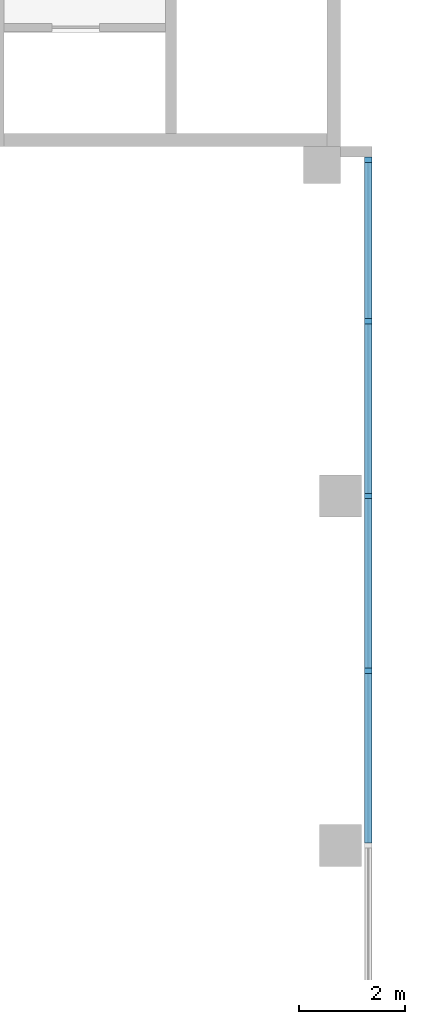
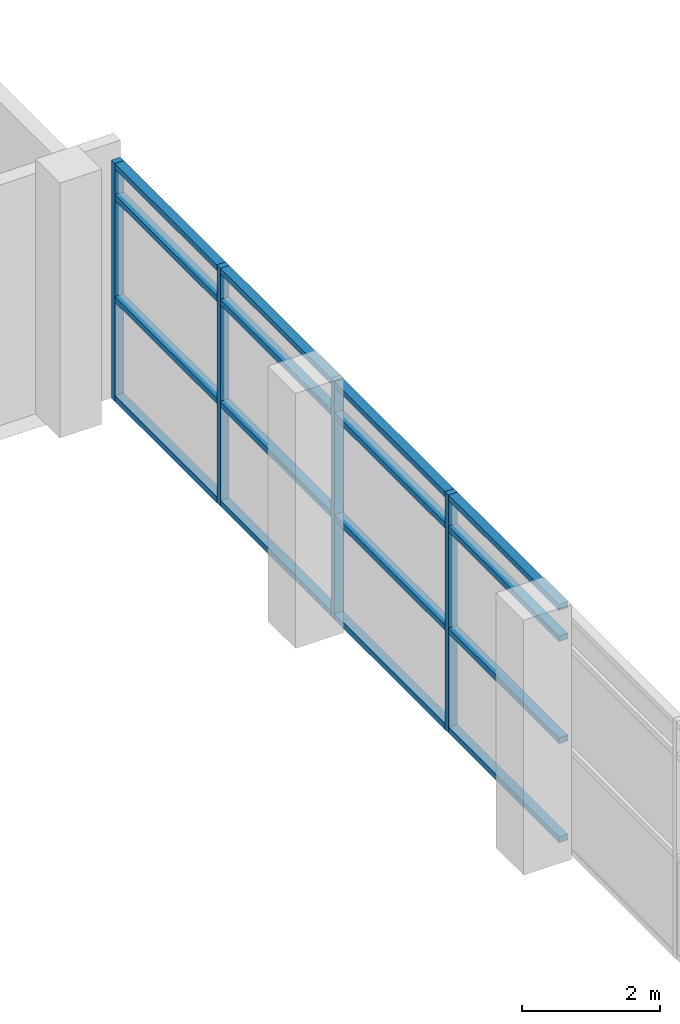
# One storey, part 14 of 102: 20 members, 1 element without a shape of its own.
"""IFC4 building model written with IfcOpenShell, lengths in metres."""

import ifcopenshell
import ifcopenshell.guid

model = None  # the IFC model being written
_history = None  # IfcOwnerHistory: only IFC2X3 demands one
_inside = {}  # id of a spatial element -> (the spatial element, [elements in it])
_under = {}  # id of a project, library or spatial element -> (it, [spatial elements below it])
_declared = {}  # id of a project -> (the project, [libraries it declares])
_typed = {}  # id of a type object -> (the type object, [elements of that type])
_made_of = {}  # id of a material, layer set ... -> (it, [elements and type objects made of it])


def new_model(schema):
    """Start an empty IFC model of exactly this schema.

    Asked for "IFC4X3", IfcOpenShell would pick the latest addendum, in which some entities
    have other attributes; the version numbers below select the first issue.
    IFC2X3 requires an IfcOwnerHistory on every rooted entity: one is made here for all.
    """
    global model, _history
    if schema == "IFC4X3":
        model = ifcopenshell.file(schema_version=(4, 3, 0, 0))
    else:
        model = ifcopenshell.file(schema=schema)
    _inside.clear()
    _under.clear()
    _declared.clear()
    _typed.clear()
    _made_of.clear()
    _history = None
    if model.schema == "IFC2X3":
        org = make("IfcOrganization", Name="unknown")
        user = make(
            "IfcPersonAndOrganization",
            ThePerson=make("IfcPerson", FamilyName="unknown"),
            TheOrganization=org,
        )
        app = make(
            "IfcApplication",
            ApplicationDeveloper=org,
            Version="unknown",
            ApplicationFullName="unknown",
            ApplicationIdentifier="unknown",
        )
        _history = make(
            "IfcOwnerHistory",
            OwningUser=user,
            OwningApplication=app,
            ChangeAction="ADDED",
            CreationDate=0,
        )
    return model


def make(cls, **values):
    """One entity of the class cls with the attributes given. An attribute that is None is left unset."""
    return model.create_entity(
        cls, **{name: value for name, value in values.items() if value is not None}
    )


def rooted(cls, **values):
    """An entity with a GlobalId (a new one), such as an element, a storey or a relation."""
    return make(cls, GlobalId=ifcopenshell.guid.new(), OwnerHistory=_history, **values)


def si_unit(unit_type, name, prefix=None):
    """IfcSIUnit, for example si_unit("LENGTHUNIT", "METRE", prefix="MILLI")."""
    return make("IfcSIUnit", UnitType=unit_type, Prefix=prefix, Name=name)


def assignment(units):
    """IfcUnitAssignment: the units of a project."""
    return None if units is None else make("IfcUnitAssignment", Units=units)


def point(xyz):
    """IfcCartesianPoint."""
    return None if xyz is None else make("IfcCartesianPoint", Coordinates=xyz)


def direction(xyz):
    """IfcDirection."""
    return None if xyz is None else make("IfcDirection", DirectionRatios=xyz)


def frame(location, z_axis=None, x_axis=None):
    """IfcAxis2Placement3D, a coordinate frame: its origin and axes. An axis left out is left unset."""
    return make(
        "IfcAxis2Placement3D",
        Location=point(location),
        Axis=direction(z_axis),
        RefDirection=direction(x_axis),
    )


def frame_2d(location, x_axis=None):
    """IfcAxis2Placement2D, a coordinate frame in the plane: its origin and x axis."""
    return make(
        "IfcAxis2Placement2D", Location=point(location), RefDirection=direction(x_axis)
    )


def origin():
    """The frame at (0, 0, 0) with its axes left unset."""
    return frame((0.0, 0.0, 0.0))


def origin_2d():
    """The frame at (0, 0) in the plane with its x axis left unset."""
    return frame_2d((0.0, 0.0))


def place(relative_to, where):
    """IfcLocalPlacement: puts the frame where relative to a parent placement (None: the world)."""
    return make(
        "IfcLocalPlacement", PlacementRelTo=relative_to, RelativePlacement=where
    )


def context(
    kind, dimensions, precision=None, world=None, true_north=None, identifier=None
):
    """IfcGeometricRepresentationContext, for example the 3D "Model" context."""
    return make(
        "IfcGeometricRepresentationContext",
        ContextIdentifier=identifier,
        ContextType=kind,
        CoordinateSpaceDimension=dimensions,
        Precision=precision,
        WorldCoordinateSystem=world,
        TrueNorth=true_north,
    )


def subcontext(parent, identifier, kind, view, scale=None):
    """IfcGeometricRepresentationSubContext, for example "Body" below "Model"."""
    return make(
        "IfcGeometricRepresentationSubContext",
        ContextIdentifier=identifier,
        ContextType=kind,
        ParentContext=parent,
        TargetScale=scale,
        TargetView=view,
    )


def project(units=None, contexts=None):
    """IfcProject with its units and contexts."""
    return rooted(
        "IfcProject",
        Name="project",
        RepresentationContexts=contexts,
        UnitsInContext=assignment(units),
    )


def spatial(cls, under=None, at=None, **own):
    """A site, building, storey or space (cls), placed at a placement, below another one or the project."""
    s = rooted(cls, ObjectPlacement=at, **own)
    if under is not None:
        _under.setdefault(under.id(), (under, []))[1].append(s)
    return s


def profile(cls, at=None, kind="AREA", **sizes):
    """A parametric profile (cls). Its sizes go by their IFC names, for example OverallWidth=200.0."""
    return make(cls, ProfileType=kind, Position=at, **sizes)


def rectangle(**sizes):
    """IfcRectangleProfileDef."""
    return profile("IfcRectangleProfileDef", **sizes)


def extrude(swept, where, along, depth):
    """IfcExtrudedAreaSolid: the profile swept, set in the frame where, extruded along a direction by depth."""
    return make(
        "IfcExtrudedAreaSolid",
        SweptArea=swept,
        Position=where,
        ExtrudedDirection=direction(along),
        Depth=depth,
    )


def shape(context_of_items, identifier, shape_type, items):
    """IfcShapeRepresentation: the items that make up one representation, for example the "Body"."""
    return make(
        "IfcShapeRepresentation",
        ContextOfItems=context_of_items,
        RepresentationIdentifier=identifier,
        RepresentationType=shape_type,
        Items=items,
    )


def material(Name=None, Category=None):
    """IfcMaterial."""
    return make("IfcMaterial", Name=Name, Category=Category)


def material_profile(
    of_material, cross_section, Name=None, Category=None, Priority=None
):
    """IfcMaterialProfile: a cross section and its material."""
    return make(
        "IfcMaterialProfile",
        Name=Name,
        Material=of_material,
        Profile=cross_section,
        Priority=Priority,
        Category=Category,
    )


def profile_set(profiles, Name=None, composite=None):
    """IfcMaterialProfileSet."""
    return make(
        "IfcMaterialProfileSet",
        Name=Name,
        MaterialProfiles=profiles,
        CompositeProfile=composite,
    )


def made_of(thing, what):
    """Note that an element or type object is made of a material, layer set ...; save() writes the relation."""
    if what is not None:
        _made_of.setdefault(what.id(), (what, []))[1].append(thing)
    return thing


def type_object(cls, material=None, **own):
    """A type object (cls), such as IfcWallType, which elements share."""
    return made_of(rooted(cls, **own), material)


def element(
    cls,
    number,
    at=None,
    inside=None,
    cuts=None,
    type_object=None,
    material=None,
    context=None,
    identifier="Body",
    shape_type=None,
    held_by="IfcProductDefinitionShape",
    body=None,
    shapes=None,
    **own,
):
    """One element of the class cls, such as IfcWall. Its Tag is "e" and its number.

    at: its placement. inside: the storey or other place that contains it. cuts: it is an
    opening in that element (IfcRelVoidsElement). A single representation is given by context,
    identifier, shape_type and body (its items); several are given by shapes. held_by: the class
    of the entity that holds the representations. save() writes the other relations.
    """
    e = rooted(cls, Tag="e%d" % number, ObjectPlacement=at, **own)
    if body is not None:
        shapes = [shape(context, identifier, shape_type, body)]
    if shapes is not None:
        e.Representation = make(held_by, Representations=shapes)
    if inside is not None:
        _inside.setdefault(inside.id(), (inside, []))[1].append(e)
    if cuts is not None:
        rooted(
            "IfcRelVoidsElement", RelatingBuildingElement=cuts, RelatedOpeningElement=e
        )
    if type_object is not None:
        _typed.setdefault(type_object.id(), (type_object, []))[1].append(e)
    return made_of(e, material)


def aggregate(whole, parts):
    """IfcRelAggregates: a whole, such as a stair, and the parts it consists of."""
    return rooted("IfcRelAggregates", RelatingObject=whole, RelatedObjects=parts)


def save(model, path):
    """Write the relations noted so far, then the file.

    IfcRelAggregates (storeys below a building ...), IfcRelContainedInSpatialStructure (elements
    in a storey), IfcRelDefinesByType, IfcRelAssociatesMaterial and IfcRelDeclares: one each for
    every whole, place, type object, material and project.
    """
    for whole, parts in _under.values():
        aggregate(whole, parts)
    for where, things in _inside.values():
        rooted(
            "IfcRelContainedInSpatialStructure",
            RelatedElements=things,
            RelatingStructure=where,
        )
    for kind, things in _typed.values():
        rooted("IfcRelDefinesByType", RelatedObjects=things, RelatingType=kind)
    for what, things in _made_of.values():
        rooted("IfcRelAssociatesMaterial", RelatedObjects=things, RelatingMaterial=what)
    for by, libraries in _declared.values():
        rooted("IfcRelDeclares", RelatingContext=by, RelatedDefinitions=libraries)
    model.write(path)


model = new_model("IFC4")

# Units and contexts
model_context = context("Model", 3, precision=1e-05, world=origin(), true_north=direction((0.0, 1.0)))
body_context = subcontext(model_context, "Body", "Model", "MODEL_VIEW")
ifc_project = project(units=[si_unit("LENGTHUNIT", "METRE"), si_unit("AREAUNIT", "SQUARE_METRE"), si_unit("VOLUMEUNIT", "CUBIC_METRE"), si_unit("PLANEANGLEUNIT", "RADIAN"), si_unit("MASSUNIT", "GRAM", prefix="KILO")], contexts=[model_context])

# Site, building, storey
site_placement = place(None, origin())
site = spatial("IfcSite", under=ifc_project, at=site_placement, CompositionType="ELEMENT")
building_placement = place(site_placement, origin())
building = spatial("IfcBuilding", under=site, at=building_placement, Name="Lantern Court Research Institute", CompositionType="ELEMENT")
storey_placement = place(building_placement, frame((0.0, 0.0, 9.89990234375)))
storey = spatial("IfcBuildingStorey", under=building, at=storey_placement, Name="L02", CompositionType="ELEMENT", Elevation=9.89990234375)

# Curtain wall, members
ifc_material_1 = material(Name="Aluminium alloy 6063-T6", Category="aluminium")
curtain_wall_type = type_object("IfcCurtainWallType", Name="Curtain wall 26200 x 4200 x 150 aluminium frame", PredefinedType="NOTDEFINED", material=ifc_material_1)
curtain_wall_placement = place(storey_placement, origin())
curtain_wall = element("IfcCurtainWall", 1, at=curtain_wall_placement, inside=storey, type_object=curtain_wall_type, Name="Curtain wall CW034", PredefinedType="NOTDEFINED")
ifc_material_2 = material(Name="Aluminium alloy 6063-T6", Category="aluminium")
ifc_material_profile_1 = material_profile(ifc_material_2, rectangle(XDim=0.14990234375, YDim=0.10009765625, at=origin_2d()), Name="Mullion 150 x 100")
ifc_profile_set_1 = profile_set([ifc_material_profile_1], Name="Aluminium alloy 6063-T6")
member_type_1 = type_object("IfcMemberType", Name="Mullion 150 x 100 aluminium", PredefinedType="MULLION", material=ifc_profile_set_1)
member_1_placement = place(storey_placement, frame((79.72509765625, 39.60009765625, 0.0), z_axis=(0.0, 0.0, 1.0), x_axis=(1.0, 0.0, 0.0)))
member_1 = element("IfcMember", 2, at=member_1_placement, type_object=member_type_1, Name="CW034 mullion 6", PredefinedType="MULLION", context=body_context, shape_type="SweptSolid", body=[
    extrude(rectangle(XDim=0.14990234375, YDim=0.10009765625, at=origin_2d()), origin(), (0.0, 0.0, 1.0), 4.2001953125),
])
member_2_placement = place(storey_placement, frame((79.72509765625, 42.89990234375, 0.0), z_axis=(0.0, 0.0, 1.0), x_axis=(1.0, 0.0, 0.0)))
member_2 = element("IfcMember", 3, at=member_2_placement, type_object=member_type_1, Name="CW034 mullion 7", PredefinedType="MULLION", context=body_context, shape_type="SweptSolid", body=[
    extrude(rectangle(XDim=0.14990234375, YDim=0.10009765625, at=origin_2d()), origin(), (0.0, 0.0, 1.0), 4.2001953125),
])
member_3_placement = place(storey_placement, frame((79.72509765625, 46.199951171875, 0.0), z_axis=(0.0, 0.0, 1.0), x_axis=(1.0, 0.0, 0.0)))
member_3 = element("IfcMember", 4, at=member_3_placement, type_object=member_type_1, Name="CW034 mullion 8", PredefinedType="MULLION", context=body_context, shape_type="SweptSolid", body=[
    extrude(rectangle(XDim=0.14990234375, YDim=0.10009765625, at=origin_2d()), origin(), (0.0, 0.0, 1.0), 4.2001953125),
])
member_4_placement = place(storey_placement, frame((79.72509765625, 49.25, 0.0), z_axis=(0.0, 0.0, 1.0), x_axis=(1.0, 0.0, 0.0)))
member_4 = element("IfcMember", 5, at=member_4_placement, type_object=member_type_1, Name="CW034 mullion 9", PredefinedType="MULLION", context=body_context, shape_type="SweptSolid", body=[
    extrude(rectangle(XDim=0.14990234375, YDim=0.10009765625, at=origin_2d()), origin(), (0.0, 0.0, 1.0), 4.2001953125),
])
ifc_material_3 = material(Name="Aluminium alloy 6063-T6", Category="aluminium")
ifc_material_profile_2 = material_profile(ifc_material_3, rectangle(XDim=0.14990234375, YDim=0.10009765625, at=origin_2d()), Name="Transom 150 x 100")
ifc_profile_set_2 = profile_set([ifc_material_profile_2], Name="Aluminium alloy 6063-T6")
member_type_2 = type_object("IfcMemberType", Name="Transom 150 x 100 aluminium", PredefinedType="USERDEFINED", material=ifc_profile_set_2)
member_5_placement = place(storey_placement, frame((79.72509765625, 39.550048828125, 0.050048828125), z_axis=(0.0, -1.0, 0.0), x_axis=(1.0, 0.0, 0.0)))
member_5 = element("IfcMember", 6, at=member_5_placement, type_object=member_type_2, Name="CW034 transom 5.1", ObjectType="TRANSOM", PredefinedType="USERDEFINED", context=body_context, shape_type="SweptSolid", body=[
    extrude(rectangle(XDim=0.14990234375, YDim=0.10009765625, at=origin_2d()), origin(), (0.0, 0.0, 1.0), 3.199951171875),
])
member_6_placement = place(storey_placement, frame((79.72509765625, 39.550048828125, 1.800048828125), z_axis=(0.0, -1.0, 0.0), x_axis=(1.0, 0.0, 0.0)))
member_6 = element("IfcMember", 7, at=member_6_placement, type_object=member_type_2, Name="CW034 transom 5.2", ObjectType="TRANSOM", PredefinedType="USERDEFINED", context=body_context, shape_type="SweptSolid", body=[
    extrude(rectangle(XDim=0.14990234375, YDim=0.10009765625, at=origin_2d()), origin(), (0.0, 0.0, 1.0), 3.199951171875),
])
member_7_placement = place(storey_placement, frame((79.72509765625, 39.550048828125, 3.60009765625), z_axis=(0.0, -1.0, 0.0), x_axis=(1.0, 0.0, 0.0)))
member_7 = element("IfcMember", 8, at=member_7_placement, type_object=member_type_2, Name="CW034 transom 5.3", ObjectType="TRANSOM", PredefinedType="USERDEFINED", context=body_context, shape_type="SweptSolid", body=[
    extrude(rectangle(XDim=0.14990234375, YDim=0.10009765625, at=origin_2d()), origin(), (0.0, 0.0, 1.0), 3.199951171875),
])
member_8_placement = place(storey_placement, frame((79.72509765625, 39.550048828125, 4.150146484375), z_axis=(0.0, -1.0, 0.0), x_axis=(1.0, 0.0, 0.0)))
member_8 = element("IfcMember", 9, at=member_8_placement, type_object=member_type_2, Name="CW034 transom 5.4", ObjectType="TRANSOM", PredefinedType="USERDEFINED", context=body_context, shape_type="SweptSolid", body=[
    extrude(rectangle(XDim=0.14990234375, YDim=0.10009765625, at=origin_2d()), origin(), (0.0, 0.0, 1.0), 3.199951171875),
])
member_9_placement = place(storey_placement, frame((79.72509765625, 42.85009765625, 0.050048828125), z_axis=(0.0, -1.0, 0.0), x_axis=(1.0, 0.0, 0.0)))
member_9 = element("IfcMember", 10, at=member_9_placement, type_object=member_type_2, Name="CW034 transom 6.1", ObjectType="TRANSOM", PredefinedType="USERDEFINED", context=body_context, shape_type="SweptSolid", body=[
    extrude(rectangle(XDim=0.14990234375, YDim=0.10009765625, at=origin_2d()), origin(), (0.0, 0.0, 1.0), 3.2001953125),
])
member_10_placement = place(storey_placement, frame((79.72509765625, 42.85009765625, 1.800048828125), z_axis=(0.0, -1.0, 0.0), x_axis=(1.0, 0.0, 0.0)))
member_10 = element("IfcMember", 11, at=member_10_placement, type_object=member_type_2, Name="CW034 transom 6.2", ObjectType="TRANSOM", PredefinedType="USERDEFINED", context=body_context, shape_type="SweptSolid", body=[
    extrude(rectangle(XDim=0.14990234375, YDim=0.10009765625, at=origin_2d()), origin(), (0.0, 0.0, 1.0), 3.2001953125),
])
member_11_placement = place(storey_placement, frame((79.72509765625, 42.85009765625, 3.60009765625), z_axis=(0.0, -1.0, 0.0), x_axis=(1.0, 0.0, 0.0)))
member_11 = element("IfcMember", 12, at=member_11_placement, type_object=member_type_2, Name="CW034 transom 6.3", ObjectType="TRANSOM", PredefinedType="USERDEFINED", context=body_context, shape_type="SweptSolid", body=[
    extrude(rectangle(XDim=0.14990234375, YDim=0.10009765625, at=origin_2d()), origin(), (0.0, 0.0, 1.0), 3.2001953125),
])
member_12_placement = place(storey_placement, frame((79.72509765625, 42.85009765625, 4.150146484375), z_axis=(0.0, -1.0, 0.0), x_axis=(1.0, 0.0, 0.0)))
member_12 = element("IfcMember", 13, at=member_12_placement, type_object=member_type_2, Name="CW034 transom 6.4", ObjectType="TRANSOM", PredefinedType="USERDEFINED", context=body_context, shape_type="SweptSolid", body=[
    extrude(rectangle(XDim=0.14990234375, YDim=0.10009765625, at=origin_2d()), origin(), (0.0, 0.0, 1.0), 3.2001953125),
])
member_13_placement = place(storey_placement, frame((79.72509765625, 46.14990234375, 0.050048828125), z_axis=(0.0, -1.0, 0.0), x_axis=(1.0, 0.0, 0.0)))
member_13 = element("IfcMember", 14, at=member_13_placement, type_object=member_type_2, Name="CW034 transom 7.1", ObjectType="TRANSOM", PredefinedType="USERDEFINED", context=body_context, shape_type="SweptSolid", body=[
    extrude(rectangle(XDim=0.14990234375, YDim=0.10009765625, at=origin_2d()), origin(), (0.0, 0.0, 1.0), 3.199951171875),
])
member_14_placement = place(storey_placement, frame((79.72509765625, 46.14990234375, 1.800048828125), z_axis=(0.0, -1.0, 0.0), x_axis=(1.0, 0.0, 0.0)))
member_14 = element("IfcMember", 15, at=member_14_placement, type_object=member_type_2, Name="CW034 transom 7.2", ObjectType="TRANSOM", PredefinedType="USERDEFINED", context=body_context, shape_type="SweptSolid", body=[
    extrude(rectangle(XDim=0.14990234375, YDim=0.10009765625, at=origin_2d()), origin(), (0.0, 0.0, 1.0), 3.199951171875),
])
member_15_placement = place(storey_placement, frame((79.72509765625, 46.14990234375, 3.60009765625), z_axis=(0.0, -1.0, 0.0), x_axis=(1.0, 0.0, 0.0)))
member_15 = element("IfcMember", 16, at=member_15_placement, type_object=member_type_2, Name="CW034 transom 7.3", ObjectType="TRANSOM", PredefinedType="USERDEFINED", context=body_context, shape_type="SweptSolid", body=[
    extrude(rectangle(XDim=0.14990234375, YDim=0.10009765625, at=origin_2d()), origin(), (0.0, 0.0, 1.0), 3.199951171875),
])
member_16_placement = place(storey_placement, frame((79.72509765625, 46.14990234375, 4.150146484375), z_axis=(0.0, -1.0, 0.0), x_axis=(1.0, 0.0, 0.0)))
member_16 = element("IfcMember", 17, at=member_16_placement, type_object=member_type_2, Name="CW034 transom 7.4", ObjectType="TRANSOM", PredefinedType="USERDEFINED", context=body_context, shape_type="SweptSolid", body=[
    extrude(rectangle(XDim=0.14990234375, YDim=0.10009765625, at=origin_2d()), origin(), (0.0, 0.0, 1.0), 3.199951171875),
])
member_17_placement = place(storey_placement, frame((79.72509765625, 49.199951171875, 0.050048828125), z_axis=(0.0, -1.0, 0.0), x_axis=(1.0, 0.0, 0.0)))
member_17 = element("IfcMember", 18, at=member_17_placement, type_object=member_type_2, Name="CW034 transom 8.1", ObjectType="TRANSOM", PredefinedType="USERDEFINED", context=body_context, shape_type="SweptSolid", body=[
    extrude(rectangle(XDim=0.14990234375, YDim=0.10009765625, at=origin_2d()), origin(), (0.0, 0.0, 1.0), 2.949951171875),
])
member_18_placement = place(storey_placement, frame((79.72509765625, 49.199951171875, 1.800048828125), z_axis=(0.0, -1.0, 0.0), x_axis=(1.0, 0.0, 0.0)))
member_18 = element("IfcMember", 19, at=member_18_placement, type_object=member_type_2, Name="CW034 transom 8.2", ObjectType="TRANSOM", PredefinedType="USERDEFINED", context=body_context, shape_type="SweptSolid", body=[
    extrude(rectangle(XDim=0.14990234375, YDim=0.10009765625, at=origin_2d()), origin(), (0.0, 0.0, 1.0), 2.949951171875),
])
member_19_placement = place(storey_placement, frame((79.72509765625, 49.199951171875, 3.60009765625), z_axis=(0.0, -1.0, 0.0), x_axis=(1.0, 0.0, 0.0)))
member_19 = element("IfcMember", 20, at=member_19_placement, type_object=member_type_2, Name="CW034 transom 8.3", ObjectType="TRANSOM", PredefinedType="USERDEFINED", context=body_context, shape_type="SweptSolid", body=[
    extrude(rectangle(XDim=0.14990234375, YDim=0.10009765625, at=origin_2d()), origin(), (0.0, 0.0, 1.0), 2.949951171875),
])
member_20_placement = place(storey_placement, frame((79.72509765625, 49.199951171875, 4.150146484375), z_axis=(0.0, -1.0, 0.0), x_axis=(1.0, 0.0, 0.0)))
member_20 = element("IfcMember", 21, at=member_20_placement, type_object=member_type_2, Name="CW034 transom 8.4", ObjectType="TRANSOM", PredefinedType="USERDEFINED", context=body_context, shape_type="SweptSolid", body=[
    extrude(rectangle(XDim=0.14990234375, YDim=0.10009765625, at=origin_2d()), origin(), (0.0, 0.0, 1.0), 2.949951171875),
])
aggregate(curtain_wall, [member_1, member_2, member_3, member_4, member_5, member_6, member_7, member_8, member_9, member_10, member_11, member_12, member_13, member_14, member_15, member_16, member_17, member_18, member_19, member_20])

save(model, "model.ifc")
